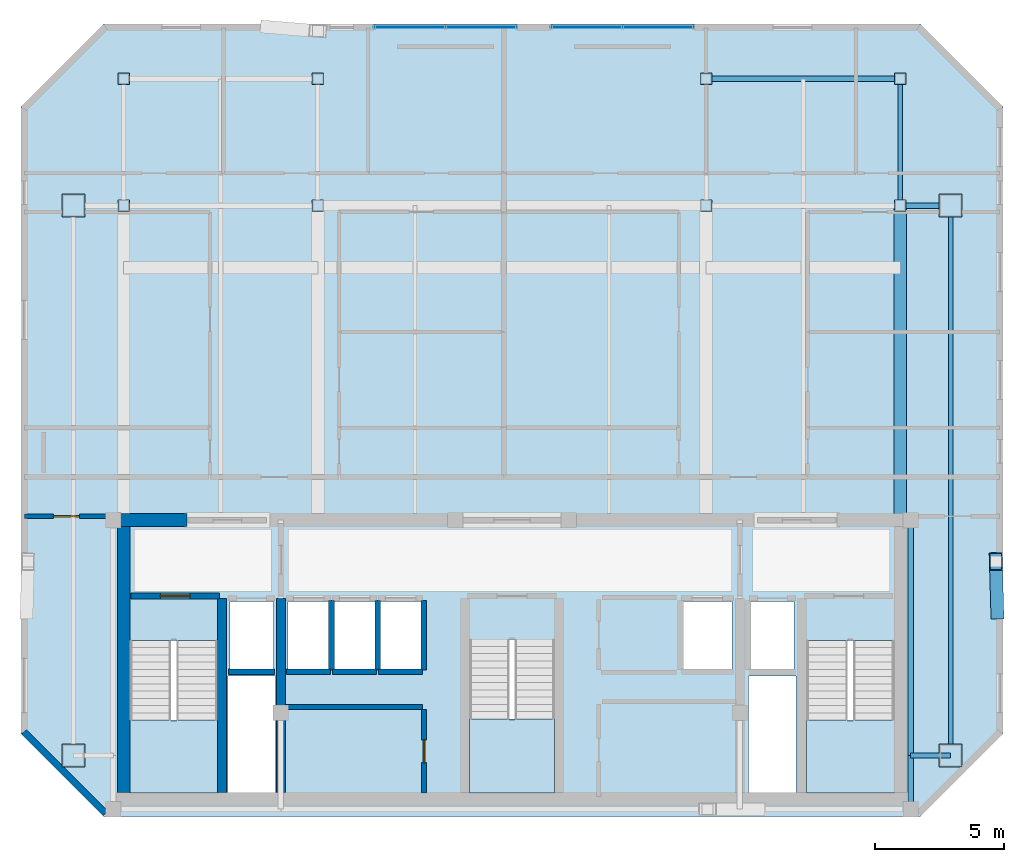
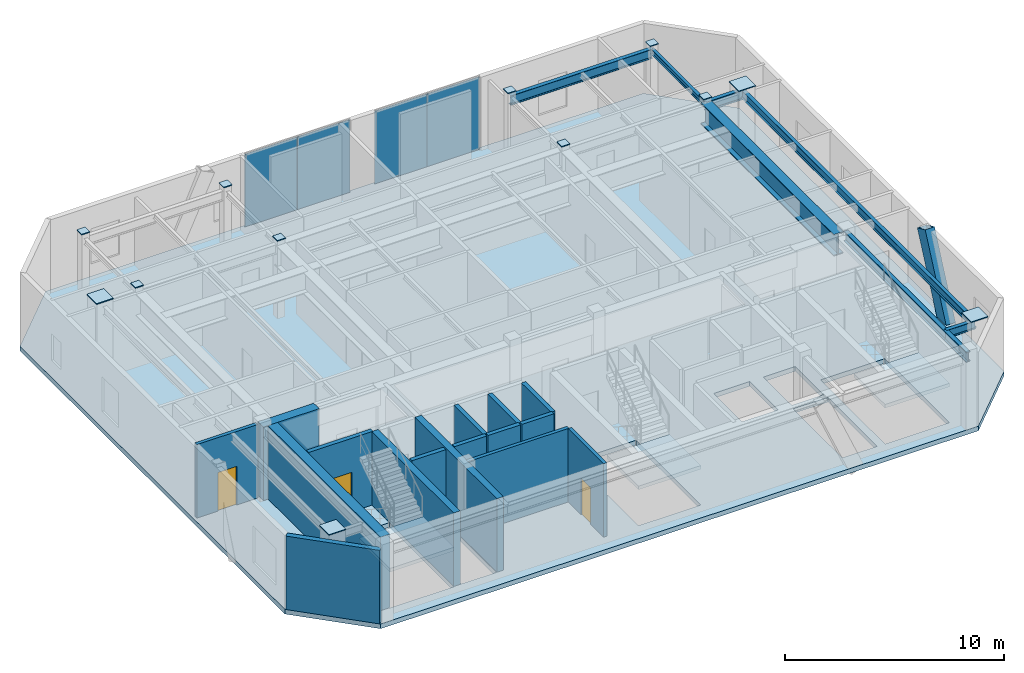
# One storey, part 5 of 10: 16 plates, 16 walls, 8 beams, 4 slabs, 3 doors, 1 member, 3 openings, 5 elements without a shape of their own.
"""IFC4 building model written with IfcOpenShell, lengths in metres."""

import ifcopenshell
import ifcopenshell.guid

model = None  # the IFC model being written
_history = None  # IfcOwnerHistory: only IFC2X3 demands one
_inside = {}  # id of a spatial element -> (the spatial element, [elements in it])
_under = {}  # id of a project, library or spatial element -> (it, [spatial elements below it])
_declared = {}  # id of a project -> (the project, [libraries it declares])
_typed = {}  # id of a type object -> (the type object, [elements of that type])
_made_of = {}  # id of a material, layer set ... -> (it, [elements and type objects made of it])


def new_model(schema):
    """Start an empty IFC model of exactly this schema.

    Asked for "IFC4X3", IfcOpenShell would pick the latest addendum, in which some entities
    have other attributes; the version numbers below select the first issue.
    IFC2X3 requires an IfcOwnerHistory on every rooted entity: one is made here for all.
    """
    global model, _history
    if schema == "IFC4X3":
        model = ifcopenshell.file(schema_version=(4, 3, 0, 0))
    else:
        model = ifcopenshell.file(schema=schema)
    _inside.clear()
    _under.clear()
    _declared.clear()
    _typed.clear()
    _made_of.clear()
    _history = None
    if model.schema == "IFC2X3":
        org = make("IfcOrganization", Name="unknown")
        user = make(
            "IfcPersonAndOrganization",
            ThePerson=make("IfcPerson", FamilyName="unknown"),
            TheOrganization=org,
        )
        app = make(
            "IfcApplication",
            ApplicationDeveloper=org,
            Version="unknown",
            ApplicationFullName="unknown",
            ApplicationIdentifier="unknown",
        )
        _history = make(
            "IfcOwnerHistory",
            OwningUser=user,
            OwningApplication=app,
            ChangeAction="ADDED",
            CreationDate=0,
        )
    return model


def make(cls, **values):
    """One entity of the class cls with the attributes given. An attribute that is None is left unset."""
    return model.create_entity(
        cls, **{name: value for name, value in values.items() if value is not None}
    )


def rooted(cls, **values):
    """An entity with a GlobalId (a new one), such as an element, a storey or a relation."""
    return make(cls, GlobalId=ifcopenshell.guid.new(), OwnerHistory=_history, **values)


def si_unit(unit_type, name, prefix=None):
    """IfcSIUnit, for example si_unit("LENGTHUNIT", "METRE", prefix="MILLI")."""
    return make("IfcSIUnit", UnitType=unit_type, Prefix=prefix, Name=name)


def assignment(units):
    """IfcUnitAssignment: the units of a project."""
    return None if units is None else make("IfcUnitAssignment", Units=units)


def point(xyz):
    """IfcCartesianPoint."""
    return None if xyz is None else make("IfcCartesianPoint", Coordinates=xyz)


def direction(xyz):
    """IfcDirection."""
    return None if xyz is None else make("IfcDirection", DirectionRatios=xyz)


def frame(location, z_axis=None, x_axis=None):
    """IfcAxis2Placement3D, a coordinate frame: its origin and axes. An axis left out is left unset."""
    return make(
        "IfcAxis2Placement3D",
        Location=point(location),
        Axis=direction(z_axis),
        RefDirection=direction(x_axis),
    )


def frame_2d(location, x_axis=None):
    """IfcAxis2Placement2D, a coordinate frame in the plane: its origin and x axis."""
    return make(
        "IfcAxis2Placement2D", Location=point(location), RefDirection=direction(x_axis)
    )


def origin():
    """The frame at (0, 0, 0) with its axes left unset."""
    return frame((0.0, 0.0, 0.0))


def origin_2d():
    """The frame at (0, 0) in the plane with its x axis left unset."""
    return frame_2d((0.0, 0.0))


def place(relative_to, where):
    """IfcLocalPlacement: puts the frame where relative to a parent placement (None: the world)."""
    return make(
        "IfcLocalPlacement", PlacementRelTo=relative_to, RelativePlacement=where
    )


def context(
    kind, dimensions, precision=None, world=None, true_north=None, identifier=None
):
    """IfcGeometricRepresentationContext, for example the 3D "Model" context."""
    return make(
        "IfcGeometricRepresentationContext",
        ContextIdentifier=identifier,
        ContextType=kind,
        CoordinateSpaceDimension=dimensions,
        Precision=precision,
        WorldCoordinateSystem=world,
        TrueNorth=true_north,
    )


def subcontext(parent, identifier, kind, view, scale=None):
    """IfcGeometricRepresentationSubContext, for example "Body" below "Model"."""
    return make(
        "IfcGeometricRepresentationSubContext",
        ContextIdentifier=identifier,
        ContextType=kind,
        ParentContext=parent,
        TargetScale=scale,
        TargetView=view,
    )


def project(units=None, contexts=None):
    """IfcProject with its units and contexts."""
    return rooted(
        "IfcProject",
        Name="project",
        RepresentationContexts=contexts,
        UnitsInContext=assignment(units),
    )


def spatial(cls, under=None, at=None, **own):
    """A site, building, storey or space (cls), placed at a placement, below another one or the project."""
    s = rooted(cls, ObjectPlacement=at, **own)
    if under is not None:
        _under.setdefault(under.id(), (under, []))[1].append(s)
    return s


def polyline(points):
    """IfcPolyline through the points."""
    return make("IfcPolyline", Points=[point(p) for p in points])


def profile(cls, at=None, kind="AREA", **sizes):
    """A parametric profile (cls). Its sizes go by their IFC names, for example OverallWidth=200.0."""
    return make(cls, ProfileType=kind, Position=at, **sizes)


def rectangle(**sizes):
    """IfcRectangleProfileDef."""
    return profile("IfcRectangleProfileDef", **sizes)


def hollow_rectangle(**sizes):
    """IfcRectangleHollowProfileDef."""
    return profile("IfcRectangleHollowProfileDef", **sizes)


def i_section(**sizes):
    """IfcIShapeProfileDef."""
    return profile("IfcIShapeProfileDef", **sizes)


def outline(outer, holes=None, kind="AREA"):
    """IfcArbitraryClosedProfileDef: a profile drawn as a closed curve; with holes, ...WithVoids."""
    if holes is None:
        return make("IfcArbitraryClosedProfileDef", ProfileType=kind, OuterCurve=outer)
    return make(
        "IfcArbitraryProfileDefWithVoids",
        ProfileType=kind,
        OuterCurve=outer,
        InnerCurves=holes,
    )


def extrude(swept, where, along, depth):
    """IfcExtrudedAreaSolid: the profile swept, set in the frame where, extruded along a direction by depth."""
    return make(
        "IfcExtrudedAreaSolid",
        SweptArea=swept,
        Position=where,
        ExtrudedDirection=direction(along),
        Depth=depth,
    )


def shape(context_of_items, identifier, shape_type, items):
    """IfcShapeRepresentation: the items that make up one representation, for example the "Body"."""
    return make(
        "IfcShapeRepresentation",
        ContextOfItems=context_of_items,
        RepresentationIdentifier=identifier,
        RepresentationType=shape_type,
        Items=items,
    )


def material(Name=None, Category=None):
    """IfcMaterial."""
    return make("IfcMaterial", Name=Name, Category=Category)


def layer(
    of_material, thickness, ventilated=None, Name=None, Category=None, Priority=None
):
    """IfcMaterialLayer: one layer of a wall or slab, of a material (None: an air gap)."""
    return make(
        "IfcMaterialLayer",
        Material=of_material,
        LayerThickness=thickness,
        IsVentilated=ventilated,
        Name=Name,
        Category=Category,
        Priority=Priority,
    )


def layer_set(layers, Name=None):
    """IfcMaterialLayerSet."""
    return make("IfcMaterialLayerSet", MaterialLayers=layers, LayerSetName=Name)


def material_profile(
    of_material, cross_section, Name=None, Category=None, Priority=None
):
    """IfcMaterialProfile: a cross section and its material."""
    return make(
        "IfcMaterialProfile",
        Name=Name,
        Material=of_material,
        Profile=cross_section,
        Priority=Priority,
        Category=Category,
    )


def profile_set(profiles, Name=None, composite=None):
    """IfcMaterialProfileSet."""
    return make(
        "IfcMaterialProfileSet",
        Name=Name,
        MaterialProfiles=profiles,
        CompositeProfile=composite,
    )


def made_of(thing, what):
    """Note that an element or type object is made of a material, layer set ...; save() writes the relation."""
    if what is not None:
        _made_of.setdefault(what.id(), (what, []))[1].append(thing)
    return thing


def type_object(cls, material=None, **own):
    """A type object (cls), such as IfcWallType, which elements share."""
    return made_of(rooted(cls, **own), material)


def element(
    cls,
    number,
    at=None,
    inside=None,
    cuts=None,
    type_object=None,
    material=None,
    context=None,
    identifier="Body",
    shape_type=None,
    held_by="IfcProductDefinitionShape",
    body=None,
    shapes=None,
    **own,
):
    """One element of the class cls, such as IfcWall. Its Tag is "e" and its number.

    at: its placement. inside: the storey or other place that contains it. cuts: it is an
    opening in that element (IfcRelVoidsElement). A single representation is given by context,
    identifier, shape_type and body (its items); several are given by shapes. held_by: the class
    of the entity that holds the representations. save() writes the other relations.
    """
    e = rooted(cls, Tag="e%d" % number, ObjectPlacement=at, **own)
    if body is not None:
        shapes = [shape(context, identifier, shape_type, body)]
    if shapes is not None:
        e.Representation = make(held_by, Representations=shapes)
    if inside is not None:
        _inside.setdefault(inside.id(), (inside, []))[1].append(e)
    if cuts is not None:
        rooted(
            "IfcRelVoidsElement", RelatingBuildingElement=cuts, RelatedOpeningElement=e
        )
    if type_object is not None:
        _typed.setdefault(type_object.id(), (type_object, []))[1].append(e)
    return made_of(e, material)


def fill(opening, filler):
    """IfcRelFillsElement: the door or window that sits in an opening."""
    return rooted(
        "IfcRelFillsElement",
        RelatingOpeningElement=opening,
        RelatedBuildingElement=filler,
    )


def aggregate(whole, parts):
    """IfcRelAggregates: a whole, such as a stair, and the parts it consists of."""
    return rooted("IfcRelAggregates", RelatingObject=whole, RelatedObjects=parts)


def save(model, path):
    """Write the relations noted so far, then the file.

    IfcRelAggregates (storeys below a building ...), IfcRelContainedInSpatialStructure (elements
    in a storey), IfcRelDefinesByType, IfcRelAssociatesMaterial and IfcRelDeclares: one each for
    every whole, place, type object, material and project.
    """
    for whole, parts in _under.values():
        aggregate(whole, parts)
    for where, things in _inside.values():
        rooted(
            "IfcRelContainedInSpatialStructure",
            RelatedElements=things,
            RelatingStructure=where,
        )
    for kind, things in _typed.values():
        rooted("IfcRelDefinesByType", RelatedObjects=things, RelatingType=kind)
    for what, things in _made_of.values():
        rooted("IfcRelAssociatesMaterial", RelatedObjects=things, RelatingMaterial=what)
    for by, libraries in _declared.values():
        rooted("IfcRelDeclares", RelatingContext=by, RelatedDefinitions=libraries)
    model.write(path)


model = new_model("IFC4")

# Units and contexts
model_context = context("Model", 3, precision=1e-05, world=origin(), true_north=direction((0.0, 1.0)))
body_context = subcontext(model_context, "Body", "Model", "MODEL_VIEW")
ifc_project = project(units=[si_unit("LENGTHUNIT", "METRE"), si_unit("AREAUNIT", "SQUARE_METRE"), si_unit("VOLUMEUNIT", "CUBIC_METRE"), si_unit("PLANEANGLEUNIT", "RADIAN"), si_unit("MASSUNIT", "GRAM", prefix="KILO")], contexts=[model_context])

# Site, building, storey
site_placement = place(None, origin())
site = spatial("IfcSite", under=ifc_project, at=site_placement, CompositionType="ELEMENT")
building_placement = place(site_placement, origin())
building = spatial("IfcBuilding", under=site, at=building_placement, Name="Ventersveld Concourse Tower", CompositionType="ELEMENT")
storey_placement = place(building_placement, frame((0.0, 0.0, 362.25)))
storey = spatial("IfcBuildingStorey", under=building, at=storey_placement, Name="L89", CompositionType="ELEMENT", Elevation=362.25)

# Beams
ifc_material_1 = material(Name="Structural steel S355J2", Category="steel")
ifc_material_profile_1 = material_profile(ifc_material_1, i_section(OverallWidth=0.1650390625, OverallDepth=0.303466796875, WebThickness=0.006103515625, FlangeThickness=0.01025390625, FilletRadius=0.0087890625, at=origin_2d()), Name="UB 305x165x40")
ifc_profile_set_1 = profile_set([ifc_material_profile_1], Name="Structural steel S355J2")
beam_type_1 = type_object("IfcBeamType", Name="BM-UB305", PredefinedType="BEAM", material=ifc_profile_set_1)
beam_1_placement = place(storey_placement, frame((43.75, 23.60009765625, 3.9482421875), z_axis=(0.0, 1.0, 0.0), x_axis=(-1.0, 0.0, 0.0)))
element("IfcBeam", 1, at=beam_1_placement, inside=storey, type_object=beam_type_1, Name="L89 N-S Upper-Zone Floor Beam X=43.75", PredefinedType="BEAM", context=body_context, shape_type="SweptSolid", body=[
    extrude(i_section(OverallWidth=0.1650390625, OverallDepth=0.303466796875, WebThickness=0.006103515625, FlangeThickness=0.01025390625, FilletRadius=0.0087890625, at=origin_2d()), origin(), (0.0, 0.0, 1.0), 4.89990234375),
])
ifc_material_profile_2 = material_profile(ifc_material_1, i_section(OverallWidth=0.209228515625, OverallDepth=0.533203125, WebThickness=0.010009765625, FlangeThickness=0.015625, FilletRadius=0.0126953125, at=origin_2d()), Name="UB 533x210x92")
ifc_profile_set_2 = profile_set([ifc_material_profile_2], Name="Structural steel S355J2")
beam_type_2 = type_object("IfcBeamType", Name="GRD-UB533", PredefinedType="T_BEAM", material=ifc_profile_set_2)
beam_2_placement = place(storey_placement, frame((43.75, 23.60009765625, 3.83349609375), z_axis=(1.0, 0.0, 0.0), x_axis=(0.0, 1.0, 0.0)))
element("IfcBeam", 2, at=beam_2_placement, inside=storey, type_object=beam_type_2, Name="L89 Primary E-W Grid Girder Y=23.60 #5", PredefinedType="T_BEAM", context=body_context, shape_type="SweptSolid", body=[
    extrude(i_section(OverallWidth=0.209228515625, OverallDepth=0.533203125, WebThickness=0.010009765625, FlangeThickness=0.015625, FilletRadius=0.0126953125, at=origin_2d()), origin(), (0.0, 0.0, 1.0), 1.949951171875),
])
beam_3_placement = place(storey_placement, frame((36.25, 28.5, 3.83349609375), z_axis=(1.0, 0.0, 0.0), x_axis=(0.0, 1.0, 0.0)))
element("IfcBeam", 3, at=beam_3_placement, inside=storey, type_object=beam_type_2, Name="L89 North Girder Y=28.50 E", PredefinedType="T_BEAM", context=body_context, shape_type="SweptSolid", body=[
    extrude(i_section(OverallWidth=0.209228515625, OverallDepth=0.533203125, WebThickness=0.010009765625, FlangeThickness=0.015625, FilletRadius=0.0126953125, at=origin_2d()), origin(), (0.0, 0.0, 1.0), 7.5),
])
ifc_material_profile_3 = material_profile(ifc_material_1, i_section(OverallWidth=0.2119140625, OverallDepth=0.54443359375, WebThickness=0.0126953125, FlangeThickness=0.021240234375, FilletRadius=0.0126953125, at=origin_2d()), Name="UB 533x210x122")
ifc_profile_set_3 = profile_set([ifc_material_profile_3], Name="Structural steel S355J2")
beam_type_3 = type_object("IfcBeamType", Name="GRD-UB533H", PredefinedType="T_BEAM", material=ifc_profile_set_3)
beam_4_placement = place(storey_placement, frame((44.14990234375, 0.280029296875, 3.827880859375), z_axis=(0.0, 1.0, 0.0), x_axis=(-1.0, 0.0, 0.0)))
element("IfcBeam", 4, at=beam_4_placement, inside=storey, type_object=beam_type_3, Name="L89 Core East Tie Beam S", PredefinedType="T_BEAM", context=body_context, shape_type="SweptSolid", body=[
    extrude(i_section(OverallWidth=0.2119140625, OverallDepth=0.54443359375, WebThickness=0.0126953125, FlangeThickness=0.021240234375, FilletRadius=0.0126953125, at=origin_2d()), origin(), (0.0, 0.0, 1.0), 2.070068359375),
])
beam_5_placement = place(storey_placement, frame((44.14990234375, 2.35009765625, 3.827880859375), z_axis=(0.0, 1.0, 0.0), x_axis=(-1.0, 0.0, 0.0)))
element("IfcBeam", 5, at=beam_5_placement, inside=storey, type_object=beam_type_3, Name="L89 Core East Tie Beam N", PredefinedType="T_BEAM", context=body_context, shape_type="SweptSolid", body=[
    extrude(i_section(OverallWidth=0.2119140625, OverallDepth=0.54443359375, WebThickness=0.0126953125, FlangeThickness=0.021240234375, FilletRadius=0.0126953125, at=origin_2d()), origin(), (0.0, 0.0, 1.0), 9.099853515625),
])

# Member
ifc_material_2 = material(Name="Structural steel S355ML", Category="steel")
ifc_material_profile_4 = material_profile(ifc_material_2, hollow_rectangle(XDim=0.5, YDim=0.75, WallThickness=0.034912109375, at=origin_2d()), Name="BOX 750x500x35")
ifc_profile_set_4 = profile_set([ifc_material_profile_4], Name="Structural steel S355ML")
member_type = type_object("IfcMemberType", Name="MB-750x500", PredefinedType="BRACE", material=ifc_profile_set_4)
member_placement = place(storey_placement, frame((47.498291015625, 7.97509765625, -0.260009765625), z_axis=(-0.011213098632, 0.39503026373, 0.918599671868), x_axis=(-0.999597377348, -0.028373988055, 0.0)))
element("IfcMember", 6, at=member_placement, inside=storey, type_object=member_type, Name="L89 Exterior Mega-Brace E (Module M21)", PredefinedType="BRACE", context=body_context, shape_type="SweptSolid", body=[
    extrude(hollow_rectangle(XDim=0.5, YDim=0.75, WallThickness=0.034912109375, at=origin_2d()), origin(), (0.0, 0.0, 1.0), 4.74658203125),
])

# Beams
ifc_material_profile_5 = material_profile(ifc_material_1, i_section(OverallWidth=0.19140625, OverallDepth=0.4599609375, WebThickness=0.010009765625, FlangeThickness=0.01611328125, FilletRadius=0.01025390625, at=origin_2d()), Name="UB 457x191x82")
ifc_profile_set_5 = profile_set([ifc_material_profile_5], Name="Structural steel S355J2")
beam_type_4 = type_object("IfcBeamType", Name="SPD-UB457", PredefinedType="SPANDREL", material=ifc_profile_set_5)
beam_6_placement = place(storey_placement, frame((44.14990234375, 2.35009765625, 3.8701171875), z_axis=(1.0, 0.0, 0.0), x_axis=(0.0, 1.0, 0.0)))
element("IfcBeam", 7, at=beam_6_placement, inside=storey, type_object=beam_type_4, Name="L89 SE Spandrel Beam", PredefinedType="SPANDREL", context=body_context, shape_type="SweptSolid", body=[
    extrude(i_section(OverallWidth=0.19140625, OverallDepth=0.4599609375, WebThickness=0.010009765625, FlangeThickness=0.01611328125, FilletRadius=0.01025390625, at=origin_2d()), origin(), (0.0, 0.0, 1.0), 1.550048828125),
])
beam_7_placement = place(storey_placement, frame((45.699951171875, 2.35009765625, 3.8701171875), z_axis=(0.0, 1.0, 0.0), x_axis=(-1.0, 0.0, 0.0)))
element("IfcBeam", 8, at=beam_7_placement, inside=storey, type_object=beam_type_4, Name="L89 East Spandrel Beam", PredefinedType="SPANDREL", context=body_context, shape_type="SweptSolid", body=[
    extrude(i_section(OverallWidth=0.19140625, OverallDepth=0.4599609375, WebThickness=0.010009765625, FlangeThickness=0.01611328125, FilletRadius=0.01025390625, at=origin_2d()), origin(), (0.0, 0.0, 1.0), 21.25),
])
ifc_material_3 = material(Name="Structural steel S460ML", Category="steel")
ifc_material_profile_6 = material_profile(ifc_material_3, i_section(OverallWidth=0.5, OverallDepth=1.199951171875, WebThickness=0.028076171875, FlangeThickness=0.044921875, at=origin_2d()), Name="PG 1200x500x45")
ifc_profile_set_6 = profile_set([ifc_material_profile_6], Name="Structural steel S460ML")
beam_type_5 = type_object("IfcBeamType", Name="TG-PG1200", PredefinedType="USERDEFINED", material=ifc_profile_set_6)
beam_8_placement = place(storey_placement, frame((43.75, 11.449951171875, 3.5), z_axis=(0.0, 1.0, 0.0), x_axis=(-1.0, 0.0, 0.0)))
element("IfcBeam", 9, at=beam_8_placement, inside=storey, type_object=beam_type_5, Name="L89 Crown Drum North Support Transfer Girder X=43.75", ObjectType="TRANSFER_GIRDER", PredefinedType="USERDEFINED", context=body_context, shape_type="SweptSolid", body=[
    extrude(i_section(OverallWidth=0.5, OverallDepth=1.199951171875, WebThickness=0.028076171875, FlangeThickness=0.044921875, at=origin_2d()), origin(), (0.0, 0.0, 1.0), 12.150146484375),
])

# Curtain wall, plates
ifc_material_4 = material(Name="Anodised aluminium EN AW-6063-T6", Category="aluminium")
curtain_wall_type = type_object("IfcCurtainWallType", Name="CW-SLOB-3", PredefinedType="NOTDEFINED", material=ifc_material_4)
curtain_wall_1_placement = place(storey_placement, origin())
curtain_wall_1 = element("IfcCurtainWall", 10, at=curtain_wall_1_placement, inside=storey, type_object=curtain_wall_type, Name="L89 L89 High-Zone Observatory Curtain Wall West", PredefinedType="NOTDEFINED")
ifc_material_5 = material(Name="Low-E double glazing IGU", Category="glass")
ifc_layer_1 = layer(ifc_material_5, 0.02392578125)
ifc_layer_set_1 = layer_set([ifc_layer_1], Name="Low-E double glazing IGU")
plate_type_1 = type_object("IfcPlateType", Name="CWP-GLZ-24", PredefinedType="CURTAIN_PANEL", material=ifc_layer_set_1)
plate_1_placement = place(storey_placement, frame((24.78759765625, 30.489990234375, 0.02001953125), z_axis=(0.0, 0.0, 1.0), x_axis=(1.0, 0.0, 0.0)))
plate_1 = element("IfcPlate", 11, at=plate_1_placement, type_object=plate_type_1, Name="CW-L89-N1 Glazed Panel 01-1", PredefinedType="CURTAIN_PANEL", context=body_context, shape_type="SweptSolid", body=[
    extrude(rectangle(XDim=2.764892578125, YDim=0.02392578125, at=origin_2d()), origin(), (0.0, 0.0, 1.0), 4.06005859375),
])
plate_2_placement = place(storey_placement, frame((27.5625, 30.489990234375, 0.02001953125), z_axis=(0.0, 0.0, 1.0), x_axis=(1.0, 0.0, 0.0)))
plate_2 = element("IfcPlate", 12, at=plate_2_placement, type_object=plate_type_1, Name="CW-L89-N1 Glazed Panel 02-1", PredefinedType="CURTAIN_PANEL", context=body_context, shape_type="SweptSolid", body=[
    extrude(rectangle(XDim=2.764892578125, YDim=0.02392578125, at=origin_2d()), origin(), (0.0, 0.0, 1.0), 4.06005859375),
])
aggregate(curtain_wall_1, [plate_1, plate_2])

curtain_wall_2_placement = place(storey_placement, origin())
curtain_wall_2 = element("IfcCurtainWall", 13, at=curtain_wall_2_placement, inside=storey, type_object=curtain_wall_type, Name="L89 L89 High-Zone Observatory Curtain Wall East", PredefinedType="NOTDEFINED")
plate_3_placement = place(storey_placement, frame((31.637451171875, 30.489990234375, 0.02001953125), z_axis=(0.0, 0.0, 1.0), x_axis=(1.0, 0.0, 0.0)))
plate_3 = element("IfcPlate", 14, at=plate_3_placement, type_object=plate_type_1, Name="CW-L89-N2 Glazed Panel 01-1", PredefinedType="CURTAIN_PANEL", context=body_context, shape_type="SweptSolid", body=[
    extrude(rectangle(XDim=2.764892578125, YDim=0.02392578125, at=origin_2d()), origin(), (0.0, 0.0, 1.0), 4.06005859375),
])
plate_4_placement = place(storey_placement, frame((34.41259765625, 30.489990234375, 0.02001953125), z_axis=(0.0, 0.0, 1.0), x_axis=(1.0, 0.0, 0.0)))
plate_4 = element("IfcPlate", 15, at=plate_4_placement, type_object=plate_type_1, Name="CW-L89-N2 Glazed Panel 02-1", PredefinedType="CURTAIN_PANEL", context=body_context, shape_type="SweptSolid", body=[
    extrude(rectangle(XDim=2.764892578125, YDim=0.02392578125, at=origin_2d()), origin(), (0.0, 0.0, 1.0), 4.06005859375),
])
aggregate(curtain_wall_2, [plate_3, plate_4])

# Plates
ifc_layer_2 = layer(ifc_material_1, 0.050048828125)
ifc_layer_set_2 = layer_set([ifc_layer_2], Name="Structural steel S355J2")
plate_type_2 = type_object("IfcPlateType", Name="PL-MAST-BASE-50", PredefinedType="USERDEFINED", material=ifc_layer_set_2)
for number, where, z_axis, x_axis, name in (
    (16, (11.800048828125, 2.35009765625, 4.35009765625), (0.0, 0.0, 1.0), (1.0, 0.0, 0.0), "L89 Hollow Column Steel End Cap Plate 029"),
    (17, (45.699951171875, 2.35009765625, 4.35009765625), (0.0, 0.0, 1.0), (1.0, 0.0, 0.0), "L89 Hollow Column Steel End Cap Plate 030"),
    (18, (45.699951171875, 23.60009765625, 4.35009765625), (0.0, 0.0, 1.0), (1.0, 0.0, 0.0), "L89 Hollow Column Steel End Cap Plate 031"),
    (19, (11.800048828125, 23.60009765625, 4.35009765625), (0.0, 0.0, 1.0), (1.0, 0.0, 0.0), "L89 Hollow Column Steel End Cap Plate 032"),
):
    element("IfcPlate", number, at=place(storey_placement, frame(where, z_axis=z_axis, x_axis=x_axis)), inside=storey, type_object=plate_type_2, Name=name, ObjectType="GUSSET_PLATE", PredefinedType="USERDEFINED", context=body_context, shape_type="SweptSolid", body=[
        extrude(rectangle(XDim=0.889892578125, YDim=0.889892578125, at=origin_2d()), origin(), (0.0, 0.0, 1.0), 0.050048828125),
    ])
for number, where, z_axis, x_axis, name in (
    (20, (13.75, 23.60009765625, 4.35009765625), (0.0, 0.0, 1.0), (1.0, 0.0, 0.0), "L89 Hollow Column Steel End Cap Plate 033"),
    (21, (21.25, 23.60009765625, 4.35009765625), (0.0, 0.0, 1.0), (1.0, 0.0, 0.0), "L89 Hollow Column Steel End Cap Plate 034"),
    (22, (36.25, 23.60009765625, 4.35009765625), (0.0, 0.0, 1.0), (1.0, 0.0, 0.0), "L89 Hollow Column Steel End Cap Plate 035"),
    (23, (43.75, 23.60009765625, 4.35009765625), (0.0, 0.0, 1.0), (1.0, 0.0, 0.0), "L89 Hollow Column Steel End Cap Plate 036"),
    (24, (13.75, 28.5, 4.35009765625), (0.0, 0.0, 1.0), (1.0, 0.0, 0.0), "L89 Hollow Column Steel End Cap Plate 037"),
    (25, (21.25, 28.5, 4.35009765625), (0.0, 0.0, 1.0), (1.0, 0.0, 0.0), "L89 Hollow Column Steel End Cap Plate 038"),
    (26, (36.25, 28.5, 4.35009765625), (0.0, 0.0, 1.0), (1.0, 0.0, 0.0), "L89 Hollow Column Steel End Cap Plate 039"),
    (27, (43.75, 28.5, 4.35009765625), (0.0, 0.0, 1.0), (1.0, 0.0, 0.0), "L89 Hollow Column Steel End Cap Plate 040"),
):
    element("IfcPlate", number, at=place(storey_placement, frame(where, z_axis=z_axis, x_axis=x_axis)), inside=storey, type_object=plate_type_2, Name=name, ObjectType="GUSSET_PLATE", PredefinedType="USERDEFINED", context=body_context, shape_type="SweptSolid", body=[
        extrude(rectangle(XDim=0.43994140625, YDim=0.43994140625, at=origin_2d()), origin(), (0.0, 0.0, 1.0), 0.050048828125),
    ])

# Slab
ifc_material_6 = material(Name="Concrete C50/60", Category="concrete")
ifc_layer_3 = layer(ifc_material_6, 0.260009765625)
ifc_layer_set_3 = layer_set([ifc_layer_3], Name="Concrete C50/60")
slab_type_1 = type_object("IfcSlabType", Name="SL-FLR-260", PredefinedType="FLOOR", material=ifc_layer_set_3)
slab_1_placement = place(storey_placement, frame((0.0, 0.0, -0.260009765625)))
element("IfcSlab", 28, at=slab_1_placement, inside=storey, type_object=slab_type_1, Name="L89 Composite Floor Slab", PredefinedType="FLOOR", context=body_context, shape_type="SweptSolid", body=[
    extrude(outline(polyline([(12.97509765625, 0.0), (44.52490234375, 0.0), (47.72509765625, 3.199951171875), (47.72509765625, 27.419921875), (44.52490234375, 30.6201171875), (12.97509765625, 30.6201171875), (9.77490234375, 27.419921875), (9.77490234375, 3.199951171875), (12.97509765625, 0.0)]), holes=[polyline([(13.97998046875, 6.794921875), (13.97998046875, 0.89990234375), (17.3798828125, 0.89990234375), (17.3798828125, 6.794921875), (13.97998046875, 6.794921875)]), polyline([(40.1201171875, 6.794921875), (40.1201171875, 0.89990234375), (43.52001953125, 0.89990234375), (43.52001953125, 6.794921875), (40.1201171875, 6.794921875)]), polyline([(27.10009765625, 6.844970703125), (27.10009765625, 0.89990234375), (30.39990234375, 0.89990234375), (30.39990234375, 6.844970703125), (27.10009765625, 6.844970703125)]), polyline([(17.85009765625, 5.699951171875), (19.530029296875, 5.699951171875), (19.530029296875, 8.300048828125), (17.85009765625, 8.300048828125), (17.85009765625, 5.699951171875)]), polyline([(37.969970703125, 5.699951171875), (39.64990234375, 5.699951171875), (39.64990234375, 8.300048828125), (37.969970703125, 8.300048828125), (37.969970703125, 5.699951171875)]), polyline([(35.35009765625, 5.699951171875), (37.25, 5.699951171875), (37.25, 8.300048828125), (35.35009765625, 8.300048828125), (35.35009765625, 5.699951171875)]), polyline([(20.090087890625, 5.699951171875), (21.68994140625, 5.699951171875), (21.68994140625, 8.300048828125), (20.090087890625, 8.300048828125), (20.090087890625, 5.699951171875)]), polyline([(21.8701171875, 5.699951171875), (23.469970703125, 5.699951171875), (23.469970703125, 8.300048828125), (21.8701171875, 8.300048828125), (21.8701171875, 5.699951171875)]), polyline([(23.64990234375, 5.699951171875), (25.25, 5.699951171875), (25.25, 8.300048828125), (23.64990234375, 8.300048828125), (23.64990234375, 5.699951171875)]), polyline([(17.780029296875, 0.919921875), (19.6201171875, 0.919921875), (19.6201171875, 5.419921875), (17.780029296875, 5.419921875), (17.780029296875, 0.919921875)]), polyline([(37.8798828125, 0.919921875), (39.719970703125, 0.919921875), (39.719970703125, 5.419921875), (37.8798828125, 5.419921875), (37.8798828125, 0.919921875)])]), origin(), (0.0, 0.0, 1.0), 0.260009765625),
])

# Stair, slab
stair_type_1 = type_object("IfcStairType", Name="ST-DOG-160", PredefinedType="HALF_TURN_STAIR", material=ifc_material_6)
stair_1_placement = place(storey_placement, origin())
stair_1 = element("IfcStair", 29, at=stair_1_placement, inside=storey, type_object=stair_type_1, Name="L89 Protected Tower Escape Stair ST-01", PredefinedType="HALF_TURN_STAIR")
ifc_layer_4 = layer(ifc_material_6, 0.199951171875)
ifc_layer_set_4 = layer_set([ifc_layer_4], Name="Concrete C50/60")
slab_type_2 = type_object("IfcSlabType", Name="SL-LND-200", PredefinedType="LANDING", material=ifc_layer_set_4)
slab_2_placement = place(storey_placement, frame((0.0, 0.0, 2.0)))
slab_2 = element("IfcSlab", 30, at=slab_2_placement, type_object=slab_type_2, Name="ST-01 landing 1", PredefinedType="LANDING", context=body_context, shape_type="SweptSolid", body=[
    extrude(outline(polyline([(13.97998046875, 3.719970703125), (13.97998046875, 0.89990234375), (17.3798828125, 0.89990234375), (17.3798828125, 3.719970703125), (13.97998046875, 3.719970703125)])), origin(), (0.0, 0.0, 1.0), 0.199951171875),
])
aggregate(stair_1, [slab_2])

stair_2_placement = place(storey_placement, origin())
stair_2 = element("IfcStair", 31, at=stair_2_placement, inside=storey, type_object=stair_type_1, Name="L89 Protected Tower Escape Stair ST-02", PredefinedType="HALF_TURN_STAIR")
slab_3_placement = place(storey_placement, frame((0.0, 0.0, 2.0)))
slab_3 = element("IfcSlab", 32, at=slab_3_placement, type_object=slab_type_2, Name="ST-02 landing 1", PredefinedType="LANDING", context=body_context, shape_type="SweptSolid", body=[
    extrude(outline(polyline([(40.1201171875, 3.719970703125), (40.1201171875, 0.89990234375), (43.52001953125, 0.89990234375), (43.52001953125, 3.719970703125), (40.1201171875, 3.719970703125)])), origin(), (0.0, 0.0, 1.0), 0.199951171875),
])
aggregate(stair_2, [slab_3])

stair_type_2 = type_object("IfcStairType", Name="ST-DOG-155", PredefinedType="HALF_TURN_STAIR", material=ifc_material_6)
stair_3_placement = place(storey_placement, origin())
stair_3 = element("IfcStair", 33, at=stair_3_placement, inside=storey, type_object=stair_type_2, Name="L89 Protected Central Core Escape Stair ST-03", PredefinedType="HALF_TURN_STAIR")
slab_4_placement = place(storey_placement, frame((0.0, 0.0, 2.0)))
slab_4 = element("IfcSlab", 34, at=slab_4_placement, type_object=slab_type_2, Name="ST-03 landing 1", PredefinedType="LANDING", context=body_context, shape_type="SweptSolid", body=[
    extrude(outline(polyline([(27.10009765625, 3.77001953125), (27.10009765625, 0.89990234375), (30.39990234375, 0.89990234375), (30.39990234375, 3.77001953125), (27.10009765625, 3.77001953125)])), origin(), (0.0, 0.0, 1.0), 0.199951171875),
])
aggregate(stair_3, [slab_4])

# Walls
ifc_layer_5 = layer(ifc_material_6, 0.35009765625)
ifc_layer_set_5 = layer_set([ifc_layer_5], Name="Concrete C50/60")
wall_type_1 = type_object("IfcWallType", Name="WL-CORE-350U", PredefinedType="SHEAR", material=ifc_layer_set_5)
for number, where, z_axis, x_axis, name in (
    (35, (17.5400390625, 0.919921875, 0.0), (0.0, 0.0, 1.0), (0.0, 1.0, 0.0), "L89 Core Internal Shear Web W-ST1-E"),
    (36, (19.820068359375, 0.919921875, 0.0), (0.0, 0.0, 1.0), (0.0, 1.0, 0.0), "L89 Core Internal Shear Web W-FF1-E"),
):
    element("IfcWall", number, at=place(storey_placement, frame(where, z_axis=z_axis, x_axis=x_axis)), inside=storey, type_object=wall_type_1, Name=name, PredefinedType="SHEAR", context=body_context, shape_type="SweptSolid", body=[
        extrude(rectangle(XDim=7.5, YDim=0.35009765625, at=frame_2d((3.75, 0.0))), origin(), (0.0, 0.0, 1.0), 4.10009765625),
    ])
ifc_layer_6 = layer(ifc_material_6, 0.5)
ifc_layer_set_6 = layer_set([ifc_layer_6], Name="Concrete C50/60")
wall_type_2 = type_object("IfcWallType", Name="WL-CORE-500", PredefinedType="SHEAR", material=ifc_layer_set_6)
wall_1_placement = place(storey_placement, frame((13.75, 0.919921875, 0.0), z_axis=(0.0, 0.0, 1.0), x_axis=(0.0, 1.0, 0.0)))
element("IfcWall", 37, at=wall_1_placement, inside=storey, type_object=wall_type_2, Name="L89 Rear Core West Shear Wall", PredefinedType="SHEAR", context=body_context, shape_type="SweptSolid", body=[
    extrude(rectangle(XDim=10.530029296875, YDim=0.5, at=frame_2d((5.26513671875, 0.0))), origin(), (0.0, 0.0, 1.0), 4.10009765625),
])
wall_2_placement = place(storey_placement, frame((13.25, 11.449951171875, 0.0), z_axis=(0.0, 0.0, 1.0), x_axis=(1.0, 0.0, 0.0)))
element("IfcWall", 38, at=wall_2_placement, inside=storey, type_object=wall_type_2, Name="L89 Rear Core North Shear Wall NW", PredefinedType="SHEAR", context=body_context, shape_type="SweptSolid", body=[
    extrude(rectangle(XDim=2.949951171875, YDim=0.5, at=frame_2d((1.47509765625, 0.0))), origin(), (0.0, 0.0, 1.0), 4.10009765625),
])

# Wall, opening, door
ifc_material_7 = material(Name="Fire-rated autoclaved aerated masonry blockwork", Category="masonry")
ifc_layer_7 = layer(ifc_material_7, 0.179931640625)
ifc_layer_set_7 = layer_set([ifc_layer_7], Name="Fire-rated autoclaved aerated masonry blockwork")
wall_type_3 = type_object("IfcWallType", Name="WL-CORR-180", PredefinedType="PARTITIONING", material=ifc_layer_set_7)
wall_3_placement = place(storey_placement, frame((25.35009765625, 0.89990234375, 0.0), z_axis=(0.0, 0.0, 1.0), x_axis=(0.0, 1.0, 0.0)))
wall_3 = element("IfcWall", 39, at=wall_3_placement, inside=storey, type_object=wall_type_3, Name="L89 Core Passage Wall SP-L89-RECB1A", PredefinedType="PARTITIONING", context=body_context, shape_type="SweptSolid", body=[
    extrude(rectangle(XDim=3.239990234375, YDim=0.179931640625, at=frame_2d((1.6201171875, 0.0))), origin(), (0.0, 0.0, 1.0), 4.10009765625),
])
opening_1_placement = place(wall_3_placement, frame((1.179931640625, 0.0, 0.0)))
opening_1 = element("IfcOpeningElement", 40, at=opening_1_placement, cuts=wall_3, Name="Opening FD5", PredefinedType="OPENING", context=body_context, shape_type="SweptSolid", body=[
    extrude(rectangle(XDim=0.8798828125, YDim=2.050048828125, at=frame_2d((0.43994140625, 1.02490234375))), frame((0.0, 0.10009765625, 0.0), z_axis=(0.0, -1.0, 0.0), x_axis=(1.0, 0.0, 0.0)), (0.0, 0.0, 1.0), 0.199951171875),
])
ifc_material_8 = material(Name="Galvanised painted steel", Category="steel")
door_type_1 = type_object("IfcDoorType", Name="DR-RISER-088", OperationType="NOTDEFINED", PredefinedType="DOOR", material=ifc_material_8)
door_1_placement = place(opening_1_placement, origin())
door_1 = element("IfcDoor", 41, at=door_1_placement, inside=storey, type_object=door_type_1, Name="L89 Core Room Door L89 Reclaimed Core Quiet Study Pod (CD-L89-3936)", OperationType="SINGLE_SWING_LEFT", OverallHeight=2.050048828125, OverallWidth=0.8798828125, PredefinedType="DOOR", context=body_context, shape_type="SweptSolid", body=[
    extrude(rectangle(XDim=0.8798828125, YDim=2.050048828125, at=frame_2d((0.43994140625, 1.02490234375))), frame((0.0, 0.02490234375, 0.0), z_axis=(0.0, -1.0, 0.0), x_axis=(1.0, 0.0, 0.0)), (0.0, 0.0, 1.0), 0.050048828125),
])
fill(opening_1, door_1)

# Wall
wall_4_placement = place(storey_placement, frame((19.97998046875, 4.22998046875, 0.0), z_axis=(0.0, 0.0, 1.0), x_axis=(1.0, 0.0, 0.0)))
element("IfcWall", 42, at=wall_4_placement, inside=storey, type_object=wall_type_3, Name="L89 Core Top Wall SP-L89-RECB1A", PredefinedType="PARTITIONING", context=body_context, shape_type="SweptSolid", body=[
    extrude(rectangle(XDim=5.320068359375, YDim=0.179931640625, at=frame_2d((2.66015625, 0.0))), origin(), (0.0, 0.0, 1.0), 4.10009765625),
])

# Wall, opening, door
wall_5_placement = place(storey_placement, frame((9.924560546875, 11.60009765625, 0.0), z_axis=(0.0, 0.0, 1.0), x_axis=(1.0, 0.0, 0.0)))
wall_5 = element("IfcWall", 43, at=wall_5_placement, inside=storey, type_object=wall_type_3, Name="L89 Interior Partition SP-L89-SW-GAL-SP-L89-COR", PredefinedType="PARTITIONING", context=body_context, shape_type="SweptSolid", body=[
    extrude(rectangle(XDim=3.220458984375, YDim=0.179931640625, at=frame_2d((1.6103515625, 0.0))), origin(), (0.0, 0.0, 1.0), 4.10009765625),
])
opening_2_placement = place(wall_5_placement, frame((1.110107421875, 0.0, 0.0)))
opening_2 = element("IfcOpeningElement", 44, at=opening_2_placement, cuts=wall_5, Name="Opening FD3", PredefinedType="OPENING", context=body_context, shape_type="SweptSolid", body=[
    extrude(rectangle(XDim=1.0, YDim=2.14990234375, at=frame_2d((0.5, 1.074951171875))), frame((0.0, 0.10009765625, 0.0), z_axis=(0.0, -1.0, 0.0), x_axis=(1.0, 0.0, 0.0)), (0.0, 0.0, 1.0), 0.199951171875),
])
ifc_material_9 = material(Name="Solid-core hardwood veneer timber", Category="wood")
door_type_2 = type_object("IfcDoorType", Name="DR-FLAT-100", OperationType="NOTDEFINED", PredefinedType="DOOR", material=ifc_material_9)
door_2_placement = place(opening_2_placement, origin())
door_2 = element("IfcDoor", 45, at=door_2_placement, inside=storey, type_object=door_type_2, Name="L89 Interior Door SP-L89-SW-GAL to SP-L89-COR (D-L89-3939)", OperationType="SINGLE_SWING_LEFT", OverallHeight=2.14990234375, OverallWidth=1.0, PredefinedType="DOOR", context=body_context, shape_type="SweptSolid", body=[
    extrude(rectangle(XDim=1.0, YDim=2.14990234375, at=frame_2d((0.5, 1.074951171875))), frame((0.0, 0.02490234375, 0.0), z_axis=(0.0, -1.0, 0.0), x_axis=(1.0, 0.0, 0.0)), (0.0, 0.0, 1.0), 0.050048828125),
])
fill(opening_2, door_2)

# Walls
ifc_layer_8 = layer(ifc_material_7, 0.219970703125)
ifc_layer_set_8 = layer_set([ifc_layer_8], Name="Fire-rated autoclaved aerated masonry blockwork")
wall_type_4 = type_object("IfcWallType", Name="WL-HOIST-220", PredefinedType="SOLIDWALL", material=ifc_layer_set_8)
wall_6_placement = place(storey_placement, frame((17.800048828125, 5.590087890625, 0.0), z_axis=(0.0, 0.0, 1.0), x_axis=(1.0, 0.0, 0.0)))
element("IfcWall", 46, at=wall_6_placement, inside=storey, type_object=wall_type_4, Name="L89 Lift Hoistway Back Wall FFL-01", PredefinedType="SOLIDWALL", context=body_context, shape_type="SweptSolid", body=[
    extrude(rectangle(XDim=1.780029296875, YDim=0.219970703125, at=frame_2d((0.89013671875, 0.0))), origin(), (0.0, 0.0, 1.0), 4.10009765625),
])
wall_7_placement = place(storey_placement, frame((20.0400390625, 5.590087890625, 0.0), z_axis=(0.0, 0.0, 1.0), x_axis=(1.0, 0.0, 0.0)))
element("IfcWall", 47, at=wall_7_placement, inside=storey, type_object=wall_type_4, Name="L89 Lift Hoistway Back Wall PH-01", PredefinedType="SOLIDWALL", context=body_context, shape_type="SweptSolid", body=[
    extrude(rectangle(XDim=1.699951171875, YDim=0.219970703125, at=frame_2d((0.85009765625, 0.0))), origin(), (0.0, 0.0, 1.0), 4.10009765625),
])
wall_8_placement = place(storey_placement, frame((21.780029296875, 5.64990234375, 0.0), z_axis=(0.0, 0.0, 1.0), x_axis=(0.0, 1.0, 0.0)))
element("IfcWall", 48, at=wall_8_placement, inside=storey, type_object=wall_type_4, Name="L89 Lift Hoistway Side Wall PH-01E", PredefinedType="SOLIDWALL", context=body_context, shape_type="SweptSolid", body=[
    extrude(rectangle(XDim=2.7001953125, YDim=0.219970703125, at=frame_2d((1.35009765625, 0.0))), origin(), (0.0, 0.0, 1.0), 4.10009765625),
])
wall_9_placement = place(storey_placement, frame((21.820068359375, 5.590087890625, 0.0), z_axis=(0.0, 0.0, 1.0), x_axis=(1.0, 0.0, 0.0)))
element("IfcWall", 49, at=wall_9_placement, inside=storey, type_object=wall_type_4, Name="L89 Lift Hoistway Back Wall PH-02", PredefinedType="SOLIDWALL", context=body_context, shape_type="SweptSolid", body=[
    extrude(rectangle(XDim=1.699951171875, YDim=0.219970703125, at=frame_2d((0.85009765625, 0.0))), origin(), (0.0, 0.0, 1.0), 4.10009765625),
])
wall_10_placement = place(storey_placement, frame((23.56005859375, 5.64990234375, 0.0), z_axis=(0.0, 0.0, 1.0), x_axis=(0.0, 1.0, 0.0)))
element("IfcWall", 50, at=wall_10_placement, inside=storey, type_object=wall_type_4, Name="L89 Lift Hoistway Side Wall PH-02E", PredefinedType="SOLIDWALL", context=body_context, shape_type="SweptSolid", body=[
    extrude(rectangle(XDim=2.7001953125, YDim=0.219970703125, at=frame_2d((1.35009765625, 0.0))), origin(), (0.0, 0.0, 1.0), 4.10009765625),
])
wall_11_placement = place(storey_placement, frame((23.60009765625, 5.590087890625, 0.0), z_axis=(0.0, 0.0, 1.0), x_axis=(1.0, 0.0, 0.0)))
element("IfcWall", 51, at=wall_11_placement, inside=storey, type_object=wall_type_4, Name="L89 Lift Hoistway Back Wall PH-03", PredefinedType="SOLIDWALL", context=body_context, shape_type="SweptSolid", body=[
    extrude(rectangle(XDim=1.699951171875, YDim=0.219970703125, at=frame_2d((0.85009765625, 0.0))), origin(), (0.0, 0.0, 1.0), 4.10009765625),
])
wall_12_placement = place(storey_placement, frame((25.340087890625, 5.64990234375, 0.0), z_axis=(0.0, 0.0, 1.0), x_axis=(0.0, 1.0, 0.0)))
element("IfcWall", 52, at=wall_12_placement, inside=storey, type_object=wall_type_4, Name="L89 Lift Hoistway Side Wall PH-03E", PredefinedType="SOLIDWALL", context=body_context, shape_type="SweptSolid", body=[
    extrude(rectangle(XDim=2.7001953125, YDim=0.219970703125, at=frame_2d((1.35009765625, 0.0))), origin(), (0.0, 0.0, 1.0), 4.10009765625),
])

# Wall, opening, door
wall_13_placement = place(storey_placement, frame((14.0400390625, 8.52001953125, 0.0), z_axis=(0.0, 0.0, 1.0), x_axis=(1.0, 0.0, 0.0)))
wall_13 = element("IfcWall", 53, at=wall_13_placement, inside=storey, type_object=wall_type_4, Name="L89 Escape Stair ST01 Fire Wall", PredefinedType="SOLIDWALL", context=body_context, shape_type="SweptSolid", body=[
    extrude(rectangle(XDim=3.39990234375, YDim=0.219970703125, at=frame_2d((1.699951171875, 0.0))), origin(), (0.0, 0.0, 1.0), 4.10009765625),
])
opening_3_placement = place(wall_13_placement, frame((1.125, 0.0, 0.0)))
opening_3 = element("IfcOpeningElement", 54, at=opening_3_placement, cuts=wall_13, Name="Opening FD1", PredefinedType="OPENING", context=body_context, shape_type="SweptSolid", body=[
    extrude(rectangle(XDim=1.14990234375, YDim=2.199951171875, at=frame_2d((0.574951171875, 1.10009765625))), frame((0.0, 0.1201171875, 0.0), z_axis=(0.0, -1.0, 0.0), x_axis=(1.0, 0.0, 0.0)), (0.0, 0.0, 1.0), 0.239990234375),
])
door_type_3 = type_object("IfcDoorType", Name="DR-STAIR-115", OperationType="NOTDEFINED", PredefinedType="DOOR", material=ifc_material_8)
door_3_placement = place(opening_3_placement, origin())
door_3 = element("IfcDoor", 55, at=door_3_placement, inside=storey, type_object=door_type_3, Name="L89 Escape Stair Door ST01 (SD-L89-3928)", OperationType="SINGLE_SWING_LEFT", OverallHeight=2.199951171875, OverallWidth=1.14990234375, PredefinedType="DOOR", context=body_context, shape_type="SweptSolid", body=[
    extrude(rectangle(XDim=1.14990234375, YDim=2.199951171875, at=frame_2d((0.574951171875, 1.10009765625))), frame((0.0, 0.02490234375, 0.0), z_axis=(0.0, -1.0, 0.0), x_axis=(1.0, 0.0, 0.0)), (0.0, 0.0, 1.0), 0.050048828125),
])
fill(opening_3, door_3)

# Wall
ifc_material_10 = material(Name="Precast concrete C45/55", Category="concrete")
ifc_layer_9 = layer(ifc_material_10, 0.260009765625)
ifc_layer_set_9 = layer_set([ifc_layer_9], Name="Precast concrete C45/55")
wall_type_5 = type_object("IfcWallType", Name="WL-PREC-260", PredefinedType="SOLIDWALL", material=ifc_layer_set_9)
wall_14_placement = place(storey_placement, frame((9.895263671875, 3.263671875, 0.0), z_axis=(0.0, 0.0, 1.0), x_axis=(0.707079321262, -0.707134240044, 0.0)))
element("IfcWall", 56, at=wall_14_placement, inside=storey, type_object=wall_type_5, Name="L89 Highveld Precast Facade Wall E08", PredefinedType="SOLIDWALL", context=body_context, shape_type="SweptSolid", body=[
    extrude(rectangle(XDim=4.445556640625, YDim=0.260009765625, at=frame_2d((2.22265625, 0.0))), origin(), (0.0, 0.0, 1.0), 4.10009765625),
])

save(model, "model.ifc")
